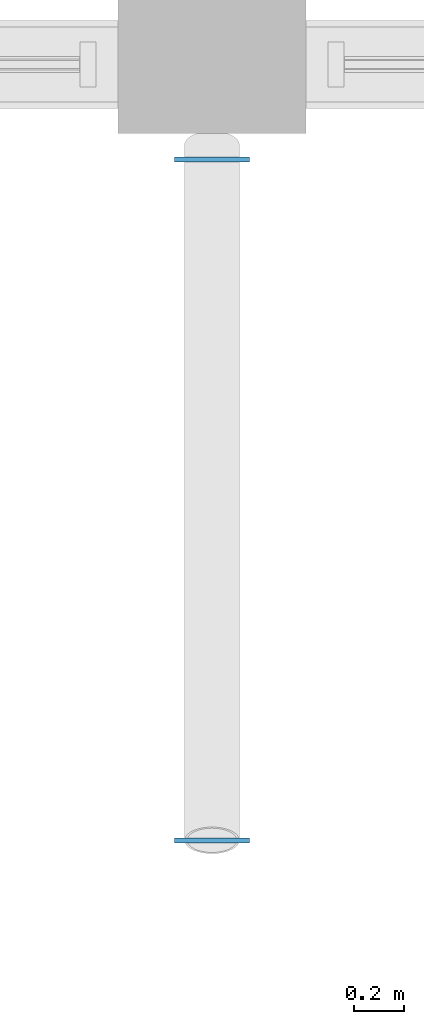
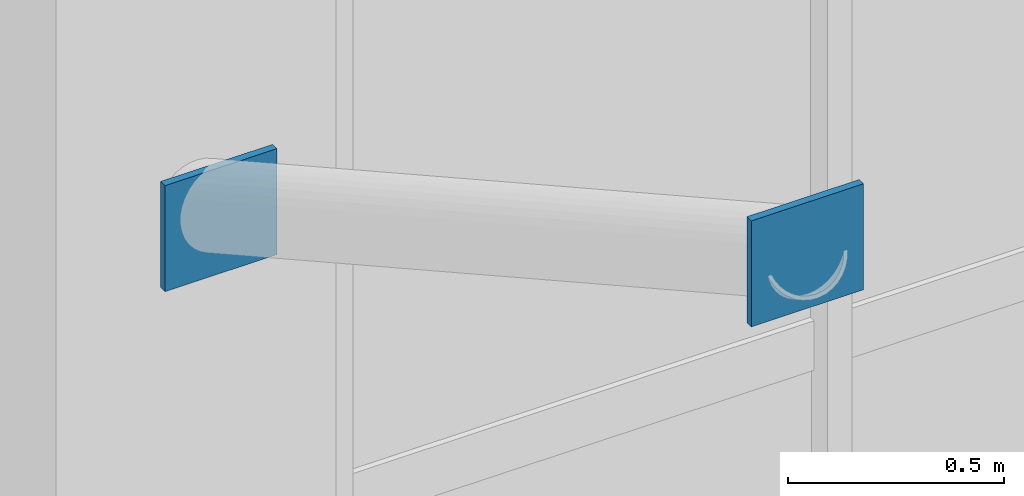
# One storey, part 72 of 110: 2 plates.
"""IFC4 building model written with IfcOpenShell, lengths in metres."""

from ifc_helpers import new_model, si_unit, direction, frame, origin, origin_2d, place, context, subcontext, project, spatial, rectangle, extrude, material, layer, layer_set, type_object, element, save


model = new_model("IFC4")

# Units and contexts
model_context = context("Model", 3, precision=1e-05, world=origin(), true_north=direction((0.0, 1.0)))
body_context = subcontext(model_context, "Body", "Model", "MODEL_VIEW")
ifc_project = project(units=[si_unit("LENGTHUNIT", "METRE"), si_unit("AREAUNIT", "SQUARE_METRE"), si_unit("VOLUMEUNIT", "CUBIC_METRE"), si_unit("PLANEANGLEUNIT", "RADIAN"), si_unit("MASSUNIT", "GRAM", prefix="KILO")], contexts=[model_context])

# Site, building, storey
site_placement = place(None, origin())
site = spatial("IfcSite", under=ifc_project, at=site_placement, CompositionType="ELEMENT")
building_placement = place(site_placement, origin())
building = spatial("IfcBuilding", under=site, at=building_placement, Name="Zacnel Wholesale Market", CompositionType="ELEMENT")
storey_placement = place(building_placement, frame((0.0, 0.0, 6.300048828125)))
storey = spatial("IfcBuildingStorey", under=building, at=storey_placement, Name="L02", CompositionType="ELEMENT", Elevation=6.300048828125)

# Plates
ifc_material = material(Name="Steel S355", Category="steel")
ifc_layer = layer(ifc_material, 0.02001953125)
ifc_layer_set = layer_set([ifc_layer], Name="Steel S355")
plate_type = type_object("IfcPlateType", Name="PLT-GUS-300X20", PredefinedType="SHEET", material=ifc_layer_set)
for number, where, z_axis, x_axis, name in (
    (1, (117.0, 95.919921875, 2.35009765625), (0.0, 0.0, 1.0), (1.0, 0.0, 0.0), "Eave strut gusset plate 005"),
    (2, (117.0, 93.199951171875, 3.89990234375), (0.0, 0.0, 1.0), (1.0, 0.0, 0.0), "Eave strut tip gusset plate 006"),
):
    element("IfcPlate", number, at=place(storey_placement, frame(where, z_axis=z_axis, x_axis=x_axis)), inside=storey, type_object=plate_type, Name=name, PredefinedType="SHEET", context=body_context, shape_type="SweptSolid", body=[
        extrude(rectangle(XDim=0.300048828125, YDim=0.02001953125, at=origin_2d()), origin(), (0.0, 0.0, 1.0), 0.300048828125),
    ])

save(model, "model.ifc")
